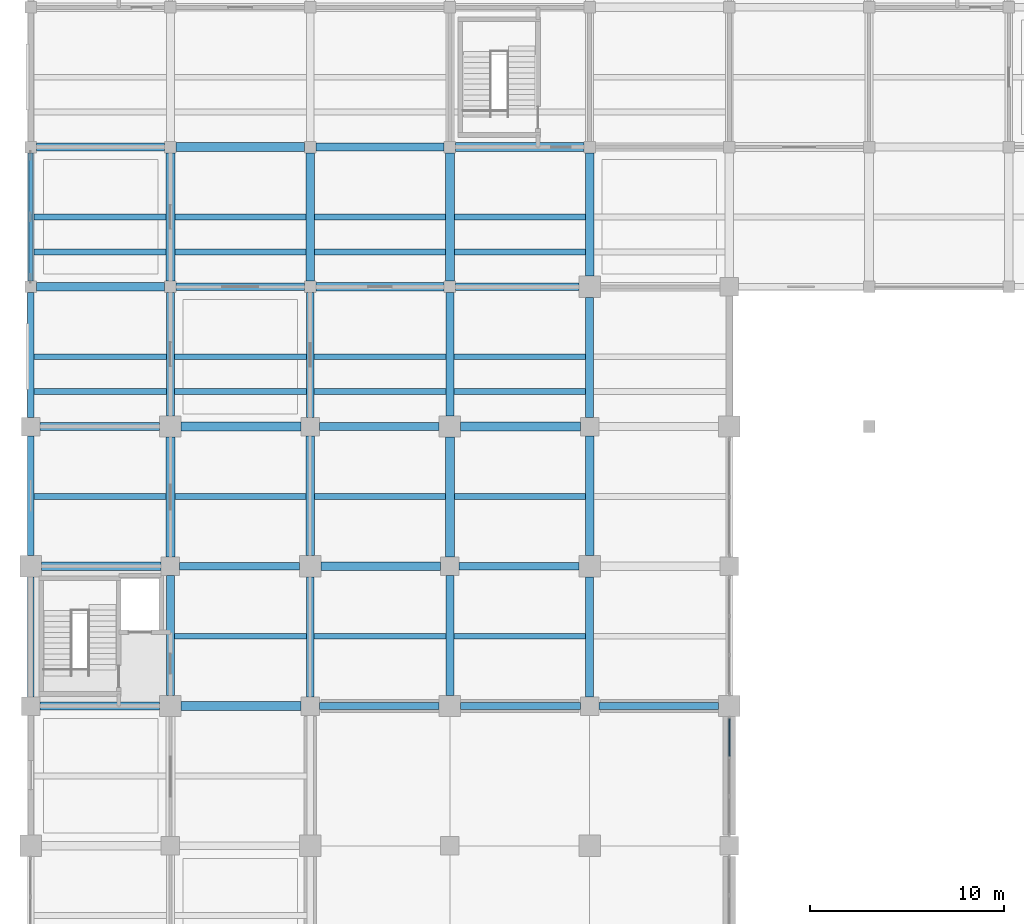
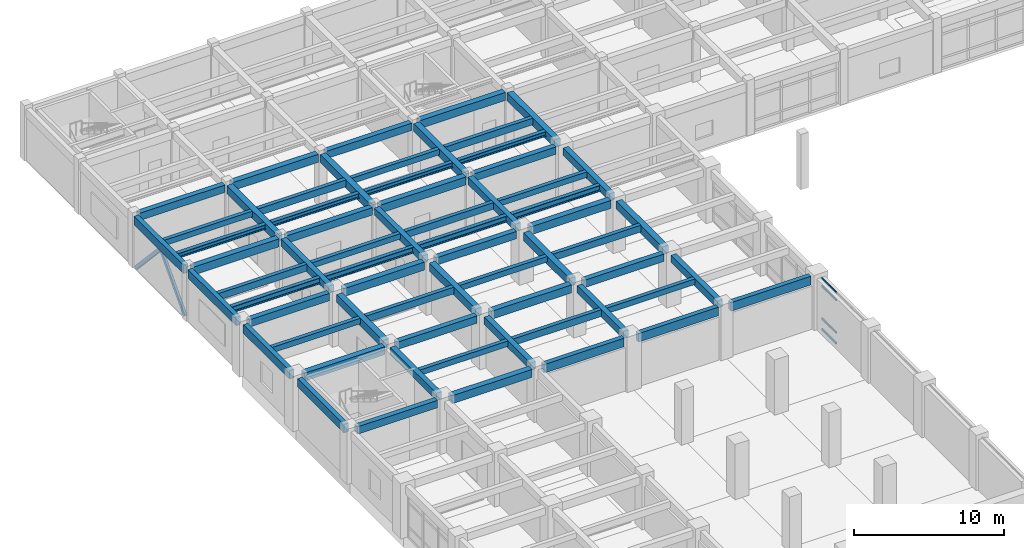
# One storey, part 16 of 81: 64 beams, 6 members, 1 element without a shape of its own.
"""IFC4 building model written with IfcOpenShell, lengths in metres."""

from ifc_helpers import new_model, si_unit, direction, frame, origin, origin_2d, place, context, subcontext, project, spatial, rectangle, hollow_rectangle, i_section, extrude, material, layer, layer_set, material_profile, profile_set, type_object, element, aggregate, save


model = new_model("IFC4")

# Units and contexts
model_context = context("Model", 3, precision=1e-05, world=origin(), true_north=direction((0.0, 1.0)))
body_context = subcontext(model_context, "Body", "Model", "MODEL_VIEW")
ifc_project = project(units=[si_unit("LENGTHUNIT", "METRE"), si_unit("AREAUNIT", "SQUARE_METRE"), si_unit("VOLUMEUNIT", "CUBIC_METRE"), si_unit("PLANEANGLEUNIT", "RADIAN"), si_unit("MASSUNIT", "GRAM", prefix="KILO")], contexts=[model_context])

# Site, building, storey
site_placement = place(None, origin())
site = spatial("IfcSite", under=ifc_project, at=site_placement, CompositionType="ELEMENT")
building_placement = place(site_placement, origin())
building = spatial("IfcBuilding", under=site, at=building_placement, Name="Kavelor Marine Aquarium", CompositionType="ELEMENT")
storey_placement = place(building_placement, frame((0.0, 0.0, 4.679931640625)))
storey = spatial("IfcBuildingStorey", under=building, at=storey_placement, Name="L01", CompositionType="ELEMENT", Elevation=4.679931640625)

# Beams
ifc_material_1 = material(Name="Concrete C40/50", Category="concrete")
ifc_material_profile_1 = material_profile(ifc_material_1, rectangle(XDim=0.449951171875, YDim=0.64990234375, at=origin_2d()), Name="RC-BM 450x650")
ifc_profile_set_1 = profile_set([ifc_material_profile_1], Name="Concrete C40/50")
beam_type_1 = type_object("IfcBeamType", Name="BM-B3", PredefinedType="BEAM", material=ifc_profile_set_1)
beam_1_placement = place(storey_placement, frame((3.75, 74.800048828125, 3.875), z_axis=(1.0, 0.0, 0.0), x_axis=(0.0, 1.0, 0.0)))
element("IfcBeam", 1, at=beam_1_placement, inside=storey, type_object=beam_type_1, Name="bm:x:L01:L02:00_10", PredefinedType="BEAM", context=body_context, shape_type="SweptSolid", body=[
    extrude(rectangle(XDim=0.449951171875, YDim=0.64990234375, at=origin_2d()), origin(), (0.0, 0.0, 1.0), 6.175048828125),
])
beam_2_placement = place(storey_placement, frame((3.5, 89.199951171875, 3.875), z_axis=(1.0, 0.0, 0.0), x_axis=(0.0, 1.0, 0.0)))
element("IfcBeam", 2, at=beam_2_placement, inside=storey, type_object=beam_type_1, Name="bm:x:L01:L02:00_12", PredefinedType="BEAM", context=body_context, shape_type="SweptSolid", body=[
    extrude(rectangle(XDim=0.449951171875, YDim=0.64990234375, at=origin_2d()), origin(), (0.0, 0.0, 1.0), 6.60009765625),
])
for number, where, z_axis, x_axis, name in (
    (3, (10.949951171875, 67.60009765625, 3.875), (1.0, 0.0, 0.0), (0.0, 1.0, 0.0), "bm:x:L01:L02:01_09"),
    (4, (10.949951171875, 82.0, 3.875), (1.0, 0.0, 0.0), (0.0, 1.0, 0.0), "bm:x:L01:L02:01_11"),
):
    element("IfcBeam", number, at=place(storey_placement, frame(where, z_axis=z_axis, x_axis=x_axis)), inside=storey, type_object=beam_type_1, Name=name, PredefinedType="BEAM", context=body_context, shape_type="SweptSolid", body=[
        extrude(rectangle(XDim=0.449951171875, YDim=0.64990234375, at=origin_2d()), origin(), (0.0, 0.0, 1.0), 6.175048828125),
    ])
beam_3_placement = place(storey_placement, frame((10.699951171875, 96.39990234375, 3.875), z_axis=(1.0, 0.0, 0.0), x_axis=(0.0, 1.0, 0.0)))
element("IfcBeam", 5, at=beam_3_placement, inside=storey, type_object=beam_type_1, Name="bm:x:L01:L02:01_13", PredefinedType="BEAM", context=body_context, shape_type="SweptSolid", body=[
    extrude(rectangle(XDim=0.449951171875, YDim=0.64990234375, at=origin_2d()), origin(), (0.0, 0.0, 1.0), 6.60009765625),
])
beam_4_placement = place(storey_placement, frame((18.14990234375, 74.800048828125, 3.875), z_axis=(1.0, 0.0, 0.0), x_axis=(0.0, 1.0, 0.0)))
element("IfcBeam", 6, at=beam_4_placement, inside=storey, type_object=beam_type_1, Name="bm:x:L01:L02:02_10", PredefinedType="BEAM", context=body_context, shape_type="SweptSolid", body=[
    extrude(rectangle(XDim=0.449951171875, YDim=0.64990234375, at=origin_2d()), origin(), (0.0, 0.0, 1.0), 6.175048828125),
])
beam_5_placement = place(storey_placement, frame((17.89990234375, 89.199951171875, 3.875), z_axis=(1.0, 0.0, 0.0), x_axis=(0.0, 1.0, 0.0)))
element("IfcBeam", 7, at=beam_5_placement, inside=storey, type_object=beam_type_1, Name="bm:x:L01:L02:02_12", PredefinedType="BEAM", context=body_context, shape_type="SweptSolid", body=[
    extrude(rectangle(XDim=0.449951171875, YDim=0.64990234375, at=origin_2d()), origin(), (0.0, 0.0, 1.0), 6.60009765625),
])
beam_6_placement = place(storey_placement, frame((25.35009765625, 82.0, 3.875), z_axis=(1.0, 0.0, 0.0), x_axis=(0.0, 1.0, 0.0)))
element("IfcBeam", 8, at=beam_6_placement, inside=storey, type_object=beam_type_1, Name="bm:x:L01:L02:03_11", PredefinedType="BEAM", context=body_context, shape_type="SweptSolid", body=[
    extrude(rectangle(XDim=0.449951171875, YDim=0.64990234375, at=origin_2d()), origin(), (0.0, 0.0, 1.0), 6.1748046875),
])
beam_7_placement = place(storey_placement, frame((25.10009765625, 96.39990234375, 3.875), z_axis=(1.0, 0.0, 0.0), x_axis=(0.0, 1.0, 0.0)))
element("IfcBeam", 9, at=beam_7_placement, inside=storey, type_object=beam_type_1, Name="bm:x:L01:L02:03_13", PredefinedType="BEAM", context=body_context, shape_type="SweptSolid", body=[
    extrude(rectangle(XDim=0.449951171875, YDim=0.64990234375, at=origin_2d()), origin(), (0.0, 0.0, 1.0), 6.599853515625),
])
beam_8_placement = place(storey_placement, frame((10.39990234375, 75.27490234375, 3.875), z_axis=(0.0, 1.0, 0.0), x_axis=(-1.0, 0.0, 0.0)))
element("IfcBeam", 10, at=beam_8_placement, inside=storey, type_object=beam_type_1, Name="bm:y:L01:L02:01_10", PredefinedType="BEAM", context=body_context, shape_type="SweptSolid", body=[
    extrude(rectangle(XDim=0.449951171875, YDim=0.64990234375, at=origin_2d()), origin(), (0.0, 0.0, 1.0), 6.175048828125),
])
beam_9_placement = place(storey_placement, frame((10.39990234375, 89.5, 3.875), z_axis=(0.0, 1.0, 0.0), x_axis=(-1.0, 0.0, 0.0)))
element("IfcBeam", 11, at=beam_9_placement, inside=storey, type_object=beam_type_1, Name="bm:y:L01:L02:01_12", PredefinedType="BEAM", context=body_context, shape_type="SweptSolid", body=[
    extrude(rectangle(XDim=0.449951171875, YDim=0.64990234375, at=origin_2d()), origin(), (0.0, 0.0, 1.0), 6.60009765625),
])
beam_10_placement = place(storey_placement, frame((17.60009765625, 75.35009765625, 3.875), z_axis=(0.0, 1.0, 0.0), x_axis=(-1.0, 0.0, 0.0)))
element("IfcBeam", 12, at=beam_10_placement, inside=storey, type_object=beam_type_1, Name="bm:y:L01:L02:02_10", PredefinedType="BEAM", context=body_context, shape_type="SweptSolid", body=[
    extrude(rectangle(XDim=0.449951171875, YDim=0.64990234375, at=origin_2d()), origin(), (0.0, 0.0, 1.0), 6.1748046875),
])
beam_11_placement = place(storey_placement, frame((17.60009765625, 89.5, 3.875), z_axis=(0.0, 1.0, 0.0), x_axis=(-1.0, 0.0, 0.0)))
element("IfcBeam", 13, at=beam_11_placement, inside=storey, type_object=beam_type_1, Name="bm:y:L01:L02:02_12", PredefinedType="BEAM", context=body_context, shape_type="SweptSolid", body=[
    extrude(rectangle(XDim=0.449951171875, YDim=0.64990234375, at=origin_2d()), origin(), (0.0, 0.0, 1.0), 6.60009765625),
])
beam_12_placement = place(storey_placement, frame((24.800048828125, 75.27490234375, 3.875), z_axis=(0.0, 1.0, 0.0), x_axis=(-1.0, 0.0, 0.0)))
element("IfcBeam", 14, at=beam_12_placement, inside=storey, type_object=beam_type_1, Name="bm:y:L01:L02:03_10", PredefinedType="BEAM", context=body_context, shape_type="SweptSolid", body=[
    extrude(rectangle(XDim=0.449951171875, YDim=0.64990234375, at=origin_2d()), origin(), (0.0, 0.0, 1.0), 6.175048828125),
])
beam_13_placement = place(storey_placement, frame((24.800048828125, 89.5, 3.875), z_axis=(0.0, 1.0, 0.0), x_axis=(-1.0, 0.0, 0.0)))
element("IfcBeam", 15, at=beam_13_placement, inside=storey, type_object=beam_type_1, Name="bm:y:L01:L02:03_12", PredefinedType="BEAM", context=body_context, shape_type="SweptSolid", body=[
    extrude(rectangle(XDim=0.449951171875, YDim=0.64990234375, at=origin_2d()), origin(), (0.0, 0.0, 1.0), 6.60009765625),
])
beam_14_placement = place(storey_placement, frame((32.0, 75.35009765625, 3.875), z_axis=(0.0, 1.0, 0.0), x_axis=(-1.0, 0.0, 0.0)))
element("IfcBeam", 16, at=beam_14_placement, inside=storey, type_object=beam_type_1, Name="bm:y:L01:L02:04_10", PredefinedType="BEAM", context=body_context, shape_type="SweptSolid", body=[
    extrude(rectangle(XDim=0.449951171875, YDim=0.64990234375, at=origin_2d()), origin(), (0.0, 0.0, 1.0), 6.1748046875),
])
beam_15_placement = place(storey_placement, frame((32.0, 89.75, 3.875), z_axis=(0.0, 1.0, 0.0), x_axis=(-1.0, 0.0, 0.0)))
element("IfcBeam", 17, at=beam_15_placement, inside=storey, type_object=beam_type_1, Name="bm:y:L01:L02:04_12", PredefinedType="BEAM", context=body_context, shape_type="SweptSolid", body=[
    extrude(rectangle(XDim=0.449951171875, YDim=0.64990234375, at=origin_2d()), origin(), (0.0, 0.0, 1.0), 6.35009765625),
])
ifc_material_2 = material(Name="Concrete C40/50", Category="concrete")
ifc_material_profile_2 = material_profile(ifc_material_2, rectangle(XDim=0.39990234375, YDim=0.60009765625, at=origin_2d()), Name="RC-BM 400x600")
ifc_profile_set_2 = profile_set([ifc_material_profile_2], Name="Concrete C40/50")
beam_type_2 = type_object("IfcBeamType", Name="BM-B4", PredefinedType="BEAM", material=ifc_profile_set_2)
for number, where, z_axis, x_axis, name in (
    (18, (3.675048828125, 67.60009765625, 3.900146484375), (1.0, 0.0, 0.0), (0.0, 1.0, 0.0), "bm:x:L01:L02:00_09"),
    (19, (3.675048828125, 82.0, 3.900146484375), (1.0, 0.0, 0.0), (0.0, 1.0, 0.0), "bm:x:L01:L02:00_11"),
):
    element("IfcBeam", number, at=place(storey_placement, frame(where, z_axis=z_axis, x_axis=x_axis)), inside=storey, type_object=beam_type_2, Name=name, PredefinedType="BEAM", context=body_context, shape_type="SweptSolid", body=[
        extrude(rectangle(XDim=0.39990234375, YDim=0.60009765625, at=origin_2d()), origin(), (0.0, 0.0, 1.0), 6.175048828125),
    ])
beam_16_placement = place(storey_placement, frame((3.5, 96.39990234375, 3.900146484375), z_axis=(1.0, 0.0, 0.0), x_axis=(0.0, 1.0, 0.0)))
element("IfcBeam", 20, at=beam_16_placement, inside=storey, type_object=beam_type_2, Name="bm:x:L01:L02:00_13", PredefinedType="BEAM", context=body_context, shape_type="SweptSolid", body=[
    extrude(rectangle(XDim=0.39990234375, YDim=0.60009765625, at=origin_2d()), origin(), (0.0, 0.0, 1.0), 6.60009765625),
])
beam_17_placement = place(storey_placement, frame((10.875, 74.800048828125, 3.900146484375), z_axis=(1.0, 0.0, 0.0), x_axis=(0.0, 1.0, 0.0)))
element("IfcBeam", 21, at=beam_17_placement, inside=storey, type_object=beam_type_2, Name="bm:x:L01:L02:01_10", PredefinedType="BEAM", context=body_context, shape_type="SweptSolid", body=[
    extrude(rectangle(XDim=0.39990234375, YDim=0.60009765625, at=origin_2d()), origin(), (0.0, 0.0, 1.0), 6.175048828125),
])
beam_18_placement = place(storey_placement, frame((10.699951171875, 89.199951171875, 3.900146484375), z_axis=(1.0, 0.0, 0.0), x_axis=(0.0, 1.0, 0.0)))
element("IfcBeam", 22, at=beam_18_placement, inside=storey, type_object=beam_type_2, Name="bm:x:L01:L02:01_12", PredefinedType="BEAM", context=body_context, shape_type="SweptSolid", body=[
    extrude(rectangle(XDim=0.39990234375, YDim=0.60009765625, at=origin_2d()), origin(), (0.0, 0.0, 1.0), 6.60009765625),
])
beam_19_placement = place(storey_placement, frame((18.074951171875, 82.0, 3.900146484375), z_axis=(1.0, 0.0, 0.0), x_axis=(0.0, 1.0, 0.0)))
element("IfcBeam", 23, at=beam_19_placement, inside=storey, type_object=beam_type_2, Name="bm:x:L01:L02:02_11", PredefinedType="BEAM", context=body_context, shape_type="SweptSolid", body=[
    extrude(rectangle(XDim=0.39990234375, YDim=0.60009765625, at=origin_2d()), origin(), (0.0, 0.0, 1.0), 6.175048828125),
])
beam_20_placement = place(storey_placement, frame((17.89990234375, 96.39990234375, 3.900146484375), z_axis=(1.0, 0.0, 0.0), x_axis=(0.0, 1.0, 0.0)))
element("IfcBeam", 24, at=beam_20_placement, inside=storey, type_object=beam_type_2, Name="bm:x:L01:L02:02_13", PredefinedType="BEAM", context=body_context, shape_type="SweptSolid", body=[
    extrude(rectangle(XDim=0.39990234375, YDim=0.60009765625, at=origin_2d()), origin(), (0.0, 0.0, 1.0), 6.60009765625),
])
beam_21_placement = place(storey_placement, frame((25.27490234375, 74.800048828125, 3.900146484375), z_axis=(1.0, 0.0, 0.0), x_axis=(0.0, 1.0, 0.0)))
element("IfcBeam", 25, at=beam_21_placement, inside=storey, type_object=beam_type_2, Name="bm:x:L01:L02:03_10", PredefinedType="BEAM", context=body_context, shape_type="SweptSolid", body=[
    extrude(rectangle(XDim=0.39990234375, YDim=0.60009765625, at=origin_2d()), origin(), (0.0, 0.0, 1.0), 6.175048828125),
])
beam_22_placement = place(storey_placement, frame((25.10009765625, 89.199951171875, 3.900146484375), z_axis=(1.0, 0.0, 0.0), x_axis=(0.0, 1.0, 0.0)))
element("IfcBeam", 26, at=beam_22_placement, inside=storey, type_object=beam_type_2, Name="bm:x:L01:L02:03_12", PredefinedType="BEAM", context=body_context, shape_type="SweptSolid", body=[
    extrude(rectangle(XDim=0.39990234375, YDim=0.60009765625, at=origin_2d()), origin(), (0.0, 0.0, 1.0), 6.349853515625),
])
beam_23_placement = place(storey_placement, frame((10.39990234375, 68.14990234375, 3.900146484375), z_axis=(0.0, 1.0, 0.0), x_axis=(-1.0, 0.0, 0.0)))
element("IfcBeam", 27, at=beam_23_placement, inside=storey, type_object=beam_type_2, Name="bm:y:L01:L02:01_09", PredefinedType="BEAM", context=body_context, shape_type="SweptSolid", body=[
    extrude(rectangle(XDim=0.39990234375, YDim=0.60009765625, at=origin_2d()), origin(), (0.0, 0.0, 1.0), 6.175048828125),
])
beam_24_placement = place(storey_placement, frame((10.39990234375, 82.550048828125, 3.900146484375), z_axis=(0.0, 1.0, 0.0), x_axis=(-1.0, 0.0, 0.0)))
element("IfcBeam", 28, at=beam_24_placement, inside=storey, type_object=beam_type_2, Name="bm:y:L01:L02:01_11", PredefinedType="BEAM", context=body_context, shape_type="SweptSolid", body=[
    extrude(rectangle(XDim=0.39990234375, YDim=0.60009765625, at=origin_2d()), origin(), (0.0, 0.0, 1.0), 6.349853515625),
])
beam_25_placement = place(storey_placement, frame((17.60009765625, 68.074951171875, 3.900146484375), z_axis=(0.0, 1.0, 0.0), x_axis=(-1.0, 0.0, 0.0)))
element("IfcBeam", 29, at=beam_25_placement, inside=storey, type_object=beam_type_2, Name="bm:y:L01:L02:02_09", PredefinedType="BEAM", context=body_context, shape_type="SweptSolid", body=[
    extrude(rectangle(XDim=0.39990234375, YDim=0.60009765625, at=origin_2d()), origin(), (0.0, 0.0, 1.0), 6.175048828125),
])
beam_26_placement = place(storey_placement, frame((17.60009765625, 82.47509765625, 3.900146484375), z_axis=(0.0, 1.0, 0.0), x_axis=(-1.0, 0.0, 0.0)))
element("IfcBeam", 30, at=beam_26_placement, inside=storey, type_object=beam_type_2, Name="bm:y:L01:L02:02_11", PredefinedType="BEAM", context=body_context, shape_type="SweptSolid", body=[
    extrude(rectangle(XDim=0.39990234375, YDim=0.60009765625, at=origin_2d()), origin(), (0.0, 0.0, 1.0), 6.4248046875),
])
beam_27_placement = place(storey_placement, frame((24.800048828125, 68.14990234375, 3.900146484375), z_axis=(0.0, 1.0, 0.0), x_axis=(-1.0, 0.0, 0.0)))
element("IfcBeam", 31, at=beam_27_placement, inside=storey, type_object=beam_type_2, Name="bm:y:L01:L02:03_09", PredefinedType="BEAM", context=body_context, shape_type="SweptSolid", body=[
    extrude(rectangle(XDim=0.39990234375, YDim=0.60009765625, at=origin_2d()), origin(), (0.0, 0.0, 1.0), 6.175048828125),
])
beam_28_placement = place(storey_placement, frame((24.800048828125, 82.550048828125, 3.900146484375), z_axis=(0.0, 1.0, 0.0), x_axis=(-1.0, 0.0, 0.0)))
element("IfcBeam", 32, at=beam_28_placement, inside=storey, type_object=beam_type_2, Name="bm:y:L01:L02:03_11", PredefinedType="BEAM", context=body_context, shape_type="SweptSolid", body=[
    extrude(rectangle(XDim=0.39990234375, YDim=0.60009765625, at=origin_2d()), origin(), (0.0, 0.0, 1.0), 6.349853515625),
])
beam_29_placement = place(storey_placement, frame((32.0, 68.074951171875, 3.900146484375), z_axis=(0.0, 1.0, 0.0), x_axis=(-1.0, 0.0, 0.0)))
element("IfcBeam", 33, at=beam_29_placement, inside=storey, type_object=beam_type_2, Name="bm:y:L01:L02:04_09", PredefinedType="BEAM", context=body_context, shape_type="SweptSolid", body=[
    extrude(rectangle(XDim=0.39990234375, YDim=0.60009765625, at=origin_2d()), origin(), (0.0, 0.0, 1.0), 6.175048828125),
])
beam_30_placement = place(storey_placement, frame((32.0, 82.47509765625, 3.900146484375), z_axis=(0.0, 1.0, 0.0), x_axis=(-1.0, 0.0, 0.0)))
element("IfcBeam", 34, at=beam_30_placement, inside=storey, type_object=beam_type_2, Name="bm:y:L01:L02:04_11", PredefinedType="BEAM", context=body_context, shape_type="SweptSolid", body=[
    extrude(rectangle(XDim=0.39990234375, YDim=0.60009765625, at=origin_2d()), origin(), (0.0, 0.0, 1.0), 6.1748046875),
])
ifc_material_3 = material(Name="Concrete C40/50", Category="concrete")
ifc_material_profile_3 = material_profile(ifc_material_3, rectangle(XDim=0.300048828125, YDim=0.449951171875, at=origin_2d()), Name="RC-JS 300x450")
ifc_profile_set_3 = profile_set([ifc_material_profile_3], Name="Concrete C40/50")
beam_type_3 = type_object("IfcBeamType", Name="BM-JS1", PredefinedType="JOIST", material=ifc_profile_set_3)
for number, where, z_axis, x_axis, name in (
    (35, (3.375, 78.39990234375, 3.97509765625), (1.0, 0.0, 0.0), (0.0, 1.0, 0.0), "js:L01:L02:00_10"),
    (36, (3.375, 92.800048828125, 3.97509765625), (1.0, 0.0, 0.0), (0.0, 1.0, 0.0), "js:L01:L02:00_12"),
):
    element("IfcBeam", number, at=place(storey_placement, frame(where, z_axis=z_axis, x_axis=x_axis)), inside=storey, type_object=beam_type_3, Name=name, PredefinedType="JOIST", context=body_context, shape_type="SweptSolid", body=[
        extrude(rectangle(XDim=0.300048828125, YDim=0.449951171875, at=origin_2d()), origin(), (0.0, 0.0, 1.0), 6.800048828125),
    ])
for number, where, z_axis, x_axis, name in (
    (37, (10.60009765625, 71.199951171875, 3.97509765625), (1.0, 0.0, 0.0), (0.0, 1.0, 0.0), "js:L01:L02:01_09"),
    (38, (10.60009765625, 85.60009765625, 3.97509765625), (1.0, 0.0, 0.0), (0.0, 1.0, 0.0), "js:L01:L02:01_11"),
):
    element("IfcBeam", number, at=place(storey_placement, frame(where, z_axis=z_axis, x_axis=x_axis)), inside=storey, type_object=beam_type_3, Name=name, PredefinedType="JOIST", context=body_context, shape_type="SweptSolid", body=[
        extrude(rectangle(XDim=0.300048828125, YDim=0.449951171875, at=origin_2d()), origin(), (0.0, 0.0, 1.0), 6.7998046875),
    ])
for number, where, z_axis, x_axis, name in (
    (39, (17.824951171875, 78.39990234375, 3.97509765625), (1.0, 0.0, 0.0), (0.0, 1.0, 0.0), "js:L01:L02:02_10"),
    (40, (17.824951171875, 92.800048828125, 3.97509765625), (1.0, 0.0, 0.0), (0.0, 1.0, 0.0), "js:L01:L02:02_12"),
):
    element("IfcBeam", number, at=place(storey_placement, frame(where, z_axis=z_axis, x_axis=x_axis)), inside=storey, type_object=beam_type_3, Name=name, PredefinedType="JOIST", context=body_context, shape_type="SweptSolid", body=[
        extrude(rectangle(XDim=0.300048828125, YDim=0.449951171875, at=origin_2d()), origin(), (0.0, 0.0, 1.0), 6.75),
    ])
for number, where, z_axis, x_axis, name in (
    (41, (25.0, 71.199951171875, 3.97509765625), (1.0, 0.0, 0.0), (0.0, 1.0, 0.0), "js:L01:L02:03_09"),
    (42, (25.0, 85.60009765625, 3.97509765625), (1.0, 0.0, 0.0), (0.0, 1.0, 0.0), "js:L01:L02:03_11"),
):
    element("IfcBeam", number, at=place(storey_placement, frame(where, z_axis=z_axis, x_axis=x_axis)), inside=storey, type_object=beam_type_3, Name=name, PredefinedType="JOIST", context=body_context, shape_type="SweptSolid", body=[
        extrude(rectangle(XDim=0.300048828125, YDim=0.449951171875, at=origin_2d()), origin(), (0.0, 0.0, 1.0), 6.800048828125),
    ])
ifc_material_4 = material(Name="Concrete C40/50", Category="concrete")
ifc_material_profile_4 = material_profile(ifc_material_4, rectangle(XDim=0.300048828125, YDim=0.550048828125, at=origin_2d()), Name="RC-JS 300x550")
ifc_profile_set_4 = profile_set([ifc_material_profile_4], Name="Concrete C40/50")
beam_type_4 = type_object("IfcBeamType", Name="BM-JS2", PredefinedType="JOIST", material=ifc_profile_set_4)
beam_31_placement = place(storey_placement, frame((3.375, 85.60009765625, 3.945068359375), z_axis=(1.0, 0.0, 0.0), x_axis=(0.0, 1.0, 0.0)))
element("IfcBeam", 43, at=beam_31_placement, inside=storey, type_object=beam_type_4, Name="js:L01:L02:00_11", PredefinedType="JOIST", context=body_context, shape_type="SweptSolid", body=[
    extrude(rectangle(XDim=0.300048828125, YDim=0.550048828125, at=origin_2d()), origin(), (0.0, 0.0, 1.0), 6.824951171875),
])
for number, where, z_axis, x_axis, name in (
    (44, (10.625, 78.39990234375, 3.945068359375), (1.0, 0.0, 0.0), (0.0, 1.0, 0.0), "js:L01:L02:01_10"),
    (45, (10.625, 92.800048828125, 3.945068359375), (1.0, 0.0, 0.0), (0.0, 1.0, 0.0), "js:L01:L02:01_12"),
):
    element("IfcBeam", number, at=place(storey_placement, frame(where, z_axis=z_axis, x_axis=x_axis)), inside=storey, type_object=beam_type_4, Name=name, PredefinedType="JOIST", context=body_context, shape_type="SweptSolid", body=[
        extrude(rectangle(XDim=0.300048828125, YDim=0.550048828125, at=origin_2d()), origin(), (0.0, 0.0, 1.0), 6.75),
    ])
for number, where, z_axis, x_axis, name in (
    (46, (17.800048828125, 71.199951171875, 3.945068359375), (1.0, 0.0, 0.0), (0.0, 1.0, 0.0), "js:L01:L02:02_09"),
    (47, (17.800048828125, 85.60009765625, 3.945068359375), (1.0, 0.0, 0.0), (0.0, 1.0, 0.0), "js:L01:L02:02_11"),
):
    element("IfcBeam", number, at=place(storey_placement, frame(where, z_axis=z_axis, x_axis=x_axis)), inside=storey, type_object=beam_type_4, Name=name, PredefinedType="JOIST", context=body_context, shape_type="SweptSolid", body=[
        extrude(rectangle(XDim=0.300048828125, YDim=0.550048828125, at=origin_2d()), origin(), (0.0, 0.0, 1.0), 6.800048828125),
    ])
for number, where, z_axis, x_axis, name in (
    (48, (25.02490234375, 78.39990234375, 3.945068359375), (1.0, 0.0, 0.0), (0.0, 1.0, 0.0), "js:L01:L02:03_10"),
    (49, (25.02490234375, 92.800048828125, 3.945068359375), (1.0, 0.0, 0.0), (0.0, 1.0, 0.0), "js:L01:L02:03_12"),
):
    element("IfcBeam", number, at=place(storey_placement, frame(where, z_axis=z_axis, x_axis=x_axis)), inside=storey, type_object=beam_type_4, Name=name, PredefinedType="JOIST", context=body_context, shape_type="SweptSolid", body=[
        extrude(rectangle(XDim=0.300048828125, YDim=0.550048828125, at=origin_2d()), origin(), (0.0, 0.0, 1.0), 6.75),
    ])
ifc_material_5 = material(Name="Steel S355", Category="steel")
ifc_material_profile_5 = material_profile(ifc_material_5, i_section(OverallWidth=0.300048828125, OverallDepth=0.5, WebThickness=0.014404296875, FlangeThickness=0.028076171875, FilletRadius=0.027099609375, at=origin_2d()), Name="HEB 500")
ifc_profile_set_5 = profile_set([ifc_material_profile_5], Name="Steel S355")
beam_type_5 = type_object("IfcBeamType", Name="BM-SB3", PredefinedType="BEAM", material=ifc_profile_set_5)
beam_32_placement = place(storey_placement, frame((3.375, 83.800048828125, 3.969970703125), z_axis=(1.0, 0.0, 0.0), x_axis=(0.0, 1.0, 0.0)))
element("IfcBeam", 50, at=beam_32_placement, inside=storey, type_object=beam_type_5, Name="bm:hoist:0:00", PredefinedType="BEAM", context=body_context, shape_type="SweptSolid", body=[
    extrude(i_section(OverallWidth=0.300048828125, OverallDepth=0.5, WebThickness=0.014404296875, FlangeThickness=0.028076171875, FilletRadius=0.027099609375, at=origin_2d()), origin(), (0.0, 0.0, 1.0), 6.824951171875),
])
beam_33_placement = place(storey_placement, frame((10.60009765625, 83.800048828125, 3.949951171875), z_axis=(1.0, 0.0, 0.0), x_axis=(0.0, 1.0, 0.0)))
element("IfcBeam", 51, at=beam_33_placement, inside=storey, type_object=beam_type_5, Name="bm:hoist:0:01", PredefinedType="BEAM", context=body_context, shape_type="SweptSolid", body=[
    extrude(i_section(OverallWidth=0.300048828125, OverallDepth=0.5, WebThickness=0.014404296875, FlangeThickness=0.028076171875, FilletRadius=0.027099609375, at=origin_2d()), origin(), (0.0, 0.0, 1.0), 6.7998046875),
])
for number, where, z_axis, x_axis, name in (
    (52, (17.800048828125, 83.800048828125, 3.969970703125), (1.0, 0.0, 0.0), (0.0, 1.0, 0.0), "bm:hoist:0:02"),
    (53, (25.0, 83.800048828125, 3.949951171875), (1.0, 0.0, 0.0), (0.0, 1.0, 0.0), "bm:hoist:0:03"),
):
    element("IfcBeam", number, at=place(storey_placement, frame(where, z_axis=z_axis, x_axis=x_axis)), inside=storey, type_object=beam_type_5, Name=name, PredefinedType="BEAM", context=body_context, shape_type="SweptSolid", body=[
        extrude(i_section(OverallWidth=0.300048828125, OverallDepth=0.5, WebThickness=0.014404296875, FlangeThickness=0.028076171875, FilletRadius=0.027099609375, at=origin_2d()), origin(), (0.0, 0.0, 1.0), 6.800048828125),
    ])
ifc_material_6 = material(Name="Steel S355", Category="steel")
ifc_material_profile_6 = material_profile(ifc_material_6, i_section(OverallWidth=0.300048828125, OverallDepth=0.39990234375, WebThickness=0.013427734375, FlangeThickness=0.02392578125, FilletRadius=0.027099609375, at=origin_2d()), Name="HEB 400")
ifc_profile_set_6 = profile_set([ifc_material_profile_6], Name="Steel S355")
beam_type_6 = type_object("IfcBeamType", Name="BM-SB4", PredefinedType="BEAM", material=ifc_profile_set_6)
beam_34_placement = place(storey_placement, frame((3.375, 91.0, 4.0), z_axis=(1.0, 0.0, 0.0), x_axis=(0.0, 1.0, 0.0)))
element("IfcBeam", 54, at=beam_34_placement, inside=storey, type_object=beam_type_6, Name="bm:hoist:1:00", PredefinedType="BEAM", context=body_context, shape_type="SweptSolid", body=[
    extrude(i_section(OverallWidth=0.300048828125, OverallDepth=0.39990234375, WebThickness=0.013427734375, FlangeThickness=0.02392578125, FilletRadius=0.027099609375, at=origin_2d()), origin(), (0.0, 0.0, 1.0), 6.800048828125),
])
for number, where, z_axis, x_axis, name in (
    (55, (10.625, 91.0, 4.02001953125), (1.0, 0.0, 0.0), (0.0, 1.0, 0.0), "bm:hoist:1:01"),
    (56, (17.824951171875, 91.0, 4.0), (1.0, 0.0, 0.0), (0.0, 1.0, 0.0), "bm:hoist:1:02"),
    (57, (25.02490234375, 91.0, 4.02001953125), (1.0, 0.0, 0.0), (0.0, 1.0, 0.0), "bm:hoist:1:03"),
):
    element("IfcBeam", number, at=place(storey_placement, frame(where, z_axis=z_axis, x_axis=x_axis)), inside=storey, type_object=beam_type_6, Name=name, PredefinedType="BEAM", context=body_context, shape_type="SweptSolid", body=[
        extrude(i_section(OverallWidth=0.300048828125, OverallDepth=0.39990234375, WebThickness=0.013427734375, FlangeThickness=0.02392578125, FilletRadius=0.027099609375, at=origin_2d()), origin(), (0.0, 0.0, 1.0), 6.75),
    ])
ifc_material_7 = material(Name="Concrete C40/50", Category="concrete")
ifc_material_profile_7 = material_profile(ifc_material_7, rectangle(XDim=0.35009765625, YDim=0.699951171875, at=origin_2d()), Name="RC-SP 350x700")
ifc_profile_set_7 = profile_set([ifc_material_profile_7], Name="Concrete C40/50")
beam_type_7 = type_object("IfcBeamType", Name="BM-SP1", PredefinedType="SPANDREL", material=ifc_profile_set_7)
beam_35_placement = place(storey_placement, frame((18.074951171875, 67.60009765625, 3.8701171875), z_axis=(1.0, 0.0, 0.0), x_axis=(0.0, 1.0, 0.0)))
element("IfcBeam", 58, at=beam_35_placement, inside=storey, type_object=beam_type_7, Name="bm:x:L01:L02:02_09", PredefinedType="SPANDREL", context=body_context, shape_type="SweptSolid", body=[
    extrude(rectangle(XDim=0.35009765625, YDim=0.699951171875, at=origin_2d()), origin(), (0.0, 0.0, 1.0), 6.175048828125),
])
for number, where, z_axis, x_axis, name in (
    (59, (25.35009765625, 67.60009765625, 3.85009765625), (1.0, 0.0, 0.0), (0.0, 1.0, 0.0), "bm:x:L01:L02:03_09"),
    (60, (32.47509765625, 67.60009765625, 3.8701171875), (1.0, 0.0, 0.0), (0.0, 1.0, 0.0), "bm:x:L01:L02:04_09"),
):
    element("IfcBeam", number, at=place(storey_placement, frame(where, z_axis=z_axis, x_axis=x_axis)), inside=storey, type_object=beam_type_7, Name=name, PredefinedType="SPANDREL", context=body_context, shape_type="SweptSolid", body=[
        extrude(rectangle(XDim=0.35009765625, YDim=0.699951171875, at=origin_2d()), origin(), (0.0, 0.0, 1.0), 6.1748046875),
    ])
beam_36_placement = place(storey_placement, frame((3.199951171875, 68.074951171875, 3.8701171875), z_axis=(0.0, 1.0, 0.0), x_axis=(-1.0, 0.0, 0.0)))
element("IfcBeam", 61, at=beam_36_placement, inside=storey, type_object=beam_type_7, Name="bm:y:L01:L02:00_09", PredefinedType="SPANDREL", context=body_context, shape_type="SweptSolid", body=[
    extrude(rectangle(XDim=0.35009765625, YDim=0.699951171875, at=origin_2d()), origin(), (0.0, 0.0, 1.0), 6.175048828125),
])
beam_37_placement = place(storey_placement, frame((3.199951171875, 75.35009765625, 3.85009765625), z_axis=(0.0, 1.0, 0.0), x_axis=(-1.0, 0.0, 0.0)))
element("IfcBeam", 62, at=beam_37_placement, inside=storey, type_object=beam_type_7, Name="bm:y:L01:L02:00_10", PredefinedType="SPANDREL", context=body_context, shape_type="SweptSolid", body=[
    extrude(rectangle(XDim=0.35009765625, YDim=0.699951171875, at=origin_2d()), origin(), (0.0, 0.0, 1.0), 6.1748046875),
])
beam_38_placement = place(storey_placement, frame((3.199951171875, 82.47509765625, 3.8701171875), z_axis=(0.0, 1.0, 0.0), x_axis=(-1.0, 0.0, 0.0)))
element("IfcBeam", 63, at=beam_38_placement, inside=storey, type_object=beam_type_7, Name="bm:y:L01:L02:00_11", PredefinedType="SPANDREL", context=body_context, shape_type="SweptSolid", body=[
    extrude(rectangle(XDim=0.35009765625, YDim=0.699951171875, at=origin_2d()), origin(), (0.0, 0.0, 1.0), 6.4248046875),
])
beam_39_placement = place(storey_placement, frame((3.199951171875, 89.5, 3.85009765625), z_axis=(0.0, 1.0, 0.0), x_axis=(-1.0, 0.0, 0.0)))
element("IfcBeam", 64, at=beam_39_placement, inside=storey, type_object=beam_type_7, Name="bm:y:L01:L02:00_12", PredefinedType="SPANDREL", context=body_context, shape_type="SweptSolid", body=[
    extrude(rectangle(XDim=0.35009765625, YDim=0.699951171875, at=origin_2d()), origin(), (0.0, 0.0, 1.0), 6.60009765625),
])

# Curtain wall, members
ifc_material_8 = material(Name="Thermally Broken Aluminium and Low-E Glass", Category="aluminium")
ifc_layer = layer(ifc_material_8, 0.30810546875)
ifc_layer_set = layer_set([ifc_layer], Name="CW-SYS21")
curtain_wall_type = type_object("IfcCurtainWallType", Name="CW-SYS21", PredefinedType="USERDEFINED", material=ifc_layer_set)
curtain_wall_placement = place(storey_placement, origin())
curtain_wall = element("IfcCurtainWall", 65, at=curtain_wall_placement, inside=storey, type_object=curtain_wall_type, Name="cw:y:L01:05_08", ObjectType="Curtain Wall", PredefinedType="USERDEFINED")
ifc_material_9 = material(Name="Anodised Aluminium Alloy 6063-T6", Category="aluminium")
ifc_material_profile_8 = material_profile(ifc_material_9, rectangle(XDim=0.080078125, YDim=0.155029296875, at=origin_2d()), Name="CW-TRN 80x155")
ifc_profile_set_8 = profile_set([ifc_material_profile_8], Name="Anodised Aluminium Alloy 6063-T6")
member_type_1 = type_object("IfcMemberType", Name="CWT-2", PredefinedType="USERDEFINED", material=ifc_profile_set_8)
member_1_placement = place(storey_placement, frame((39.199951171875, 65.006591796875, 0.032470703125), z_axis=(0.0, 1.0, 0.0), x_axis=(-1.0, 0.0, 0.0)))
member_1 = element("IfcMember", 66, at=member_1_placement, type_object=member_type_1, Name="CW21 transom 3.1", ObjectType="TRANSOM", PredefinedType="USERDEFINED", context=body_context, shape_type="SweptSolid", body=[
    extrude(rectangle(XDim=0.080078125, YDim=0.155029296875, at=origin_2d()), origin(), (0.0, 0.0, 1.0), 1.9384765625),
])
member_2_placement = place(storey_placement, frame((39.199951171875, 65.006591796875, 0.900146484375), z_axis=(0.0, 1.0, 0.0), x_axis=(-1.0, 0.0, 0.0)))
member_2 = element("IfcMember", 67, at=member_2_placement, type_object=member_type_1, Name="CW21 transom 3.2", ObjectType="TRANSOM", PredefinedType="USERDEFINED", context=body_context, shape_type="SweptSolid", body=[
    extrude(rectangle(XDim=0.080078125, YDim=0.155029296875, at=origin_2d()), origin(), (0.0, 0.0, 1.0), 1.9384765625),
])
member_3_placement = place(storey_placement, frame((39.199951171875, 65.006591796875, 3.550048828125), z_axis=(0.0, 1.0, 0.0), x_axis=(-1.0, 0.0, 0.0)))
member_3 = element("IfcMember", 68, at=member_3_placement, type_object=member_type_1, Name="CW21 transom 3.3", ObjectType="TRANSOM", PredefinedType="USERDEFINED", context=body_context, shape_type="SweptSolid", body=[
    extrude(rectangle(XDim=0.080078125, YDim=0.155029296875, at=origin_2d()), origin(), (0.0, 0.0, 1.0), 1.9384765625),
])
member_4_placement = place(storey_placement, frame((39.199951171875, 65.006591796875, 4.16748046875), z_axis=(0.0, 1.0, 0.0), x_axis=(-1.0, 0.0, 0.0)))
member_4 = element("IfcMember", 69, at=member_4_placement, type_object=member_type_1, Name="CW21 transom 3.4", ObjectType="TRANSOM", PredefinedType="USERDEFINED", context=body_context, shape_type="SweptSolid", body=[
    extrude(rectangle(XDim=0.080078125, YDim=0.155029296875, at=origin_2d()), origin(), (0.0, 0.0, 1.0), 1.9384765625),
])
aggregate(curtain_wall, [member_1, member_2, member_3, member_4])

# Members
ifc_material_10 = material(Name="Steel S355", Category="steel")
ifc_material_profile_9 = material_profile(ifc_material_10, hollow_rectangle(XDim=0.199951171875, YDim=0.300048828125, WallThickness=0.010009765625, InnerFilletRadius=0.014892578125, OuterFilletRadius=0.02490234375, at=origin_2d()), Name="RHS 300x200x10.0")
ifc_profile_set_9 = profile_set([ifc_material_profile_9], Name="Steel S355")
member_type_2 = type_object("IfcMemberType", Name="ST-BR6", PredefinedType="BRACE", material=ifc_profile_set_9)
for number, where, z_axis, x_axis, name in (
    (70, (3.199951171875, 89.550048828125, 0.0), (0.0, 0.680451099367, 0.732793491626), (-1.0, 0.0, 0.0), "sbr:a:1"),
    (71, (3.199951171875, 96.050048828125, 0.0), (0.0, -0.680451099367, 0.732793491626), (1.0, 0.0, 0.0), "sbr:b:1"),
):
    element("IfcMember", number, at=place(storey_placement, frame(where, z_axis=z_axis, x_axis=x_axis)), inside=storey, type_object=member_type_2, Name=name, PredefinedType="BRACE", context=body_context, shape_type="SweptSolid", body=[
        extrude(hollow_rectangle(XDim=0.199951171875, YDim=0.300048828125, WallThickness=0.010009765625, InnerFilletRadius=0.014892578125, OuterFilletRadius=0.02490234375, at=origin_2d()), origin(), (0.0, 0.0, 1.0), 4.776123046875),
    ])

save(model, "model.ifc")
